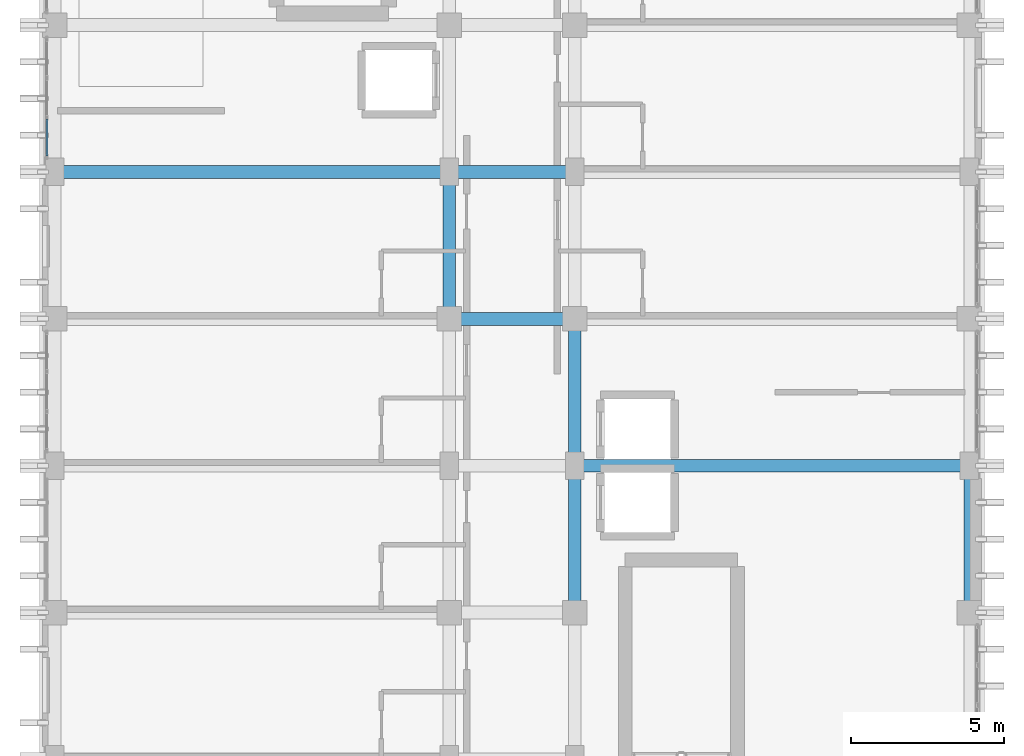
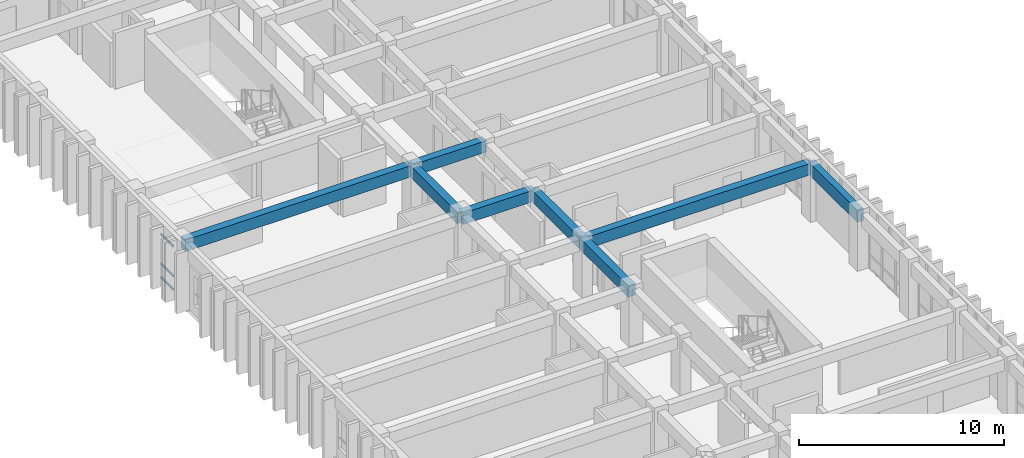
# One storey, part 24 of 82: 8 beams, 3 members, 1 element without a shape of its own.
"""IFC4 building model written with IfcOpenShell, lengths in metres."""

from ifc_helpers import new_model, si_unit, direction, frame, origin, origin_2d, place, context, subcontext, project, spatial, rectangle, hollow_rectangle, extrude, material, layer, layer_set, material_profile, profile_set, type_object, element, aggregate, save


model = new_model("IFC4")

# Units and contexts
model_context = context("Model", 3, precision=1e-05, world=origin(), true_north=direction((0.0, 1.0)))
body_context = subcontext(model_context, "Body", "Model", "MODEL_VIEW")
ifc_project = project(units=[si_unit("LENGTHUNIT", "METRE"), si_unit("AREAUNIT", "SQUARE_METRE"), si_unit("VOLUMEUNIT", "CUBIC_METRE"), si_unit("PLANEANGLEUNIT", "RADIAN"), si_unit("MASSUNIT", "GRAM", prefix="KILO")], contexts=[model_context])

# Site, building, storey
site_placement = place(None, origin())
site = spatial("IfcSite", under=ifc_project, at=site_placement, CompositionType="ELEMENT")
building_placement = place(site_placement, origin())
building = spatial("IfcBuilding", under=site, at=building_placement, Name="Nakhvara Creek Congress Hotel", CompositionType="ELEMENT")
storey_placement = place(building_placement, frame((0.0, 0.0, 21.0)))
storey = spatial("IfcBuildingStorey", under=building, at=storey_placement, Name="L04", CompositionType="ELEMENT", Elevation=21.0)

# Beams
ifc_material_1 = material(Name="Concrete C40/50", Category="concrete")
ifc_material_profile_1 = material_profile(ifc_material_1, rectangle(XDim=0.419921875, YDim=0.679931640625, at=origin_2d()), Name="RC-BM 420x680", Category="LoadBearing")
ifc_profile_set_1 = profile_set([ifc_material_profile_1], Name="Concrete C40/50")
beam_type_1 = type_object("IfcBeamType", Name="BM-RC-420X680", PredefinedType="BEAM", material=ifc_profile_set_1)
beam_1_placement = place(storey_placement, frame((162.35009765625, 67.199951171875, 3.0), z_axis=(1.0, 0.0, 0.0), x_axis=(0.0, 1.0, 0.0)))
element("IfcBeam", 1, at=beam_1_placement, inside=storey, type_object=beam_type_1, Name="Beam B11-L04-1955", PredefinedType="BEAM", context=body_context, shape_type="SweptSolid", body=[
    extrude(rectangle(XDim=0.419921875, YDim=0.679931640625, at=origin_2d()), origin(), (0.0, 0.0, 1.0), 4.099853515625),
])
beam_2_placement = place(storey_placement, frame((162.35009765625, 67.199951171875, 3.0), z_axis=(0.0, 1.0, 0.0), x_axis=(-1.0, 0.0, 0.0)))
element("IfcBeam", 2, at=beam_2_placement, inside=storey, type_object=beam_type_1, Name="Beam B11-L04-1957", PredefinedType="BEAM", context=body_context, shape_type="SweptSolid", body=[
    extrude(rectangle(XDim=0.419921875, YDim=0.679931640625, at=origin_2d()), origin(), (0.0, 0.0, 1.0), 4.800048828125),
])
beam_3_placement = place(storey_placement, frame((166.449951171875, 57.60009765625, 3.0), z_axis=(0.0, 1.0, 0.0), x_axis=(-1.0, 0.0, 0.0)))
element("IfcBeam", 3, at=beam_3_placement, inside=storey, type_object=beam_type_1, Name="Beam B11-L04-1986", PredefinedType="BEAM", context=body_context, shape_type="SweptSolid", body=[
    extrude(rectangle(XDim=0.419921875, YDim=0.679931640625, at=origin_2d()), origin(), (0.0, 0.0, 1.0), 4.7998046875),
])
beam_4_placement = place(storey_placement, frame((166.449951171875, 62.39990234375, 3.0), z_axis=(0.0, 1.0, 0.0), x_axis=(-1.0, 0.0, 0.0)))
element("IfcBeam", 4, at=beam_4_placement, inside=storey, type_object=beam_type_1, Name="Beam B11-L04-1988", PredefinedType="BEAM", context=body_context, shape_type="SweptSolid", body=[
    extrude(rectangle(XDim=0.419921875, YDim=0.679931640625, at=origin_2d()), origin(), (0.0, 0.0, 1.0), 4.800048828125),
])
beam_5_placement = place(storey_placement, frame((149.449951171875, 72.0, 3.0), z_axis=(1.0, 0.0, 0.0), x_axis=(0.0, 1.0, 0.0)))
element("IfcBeam", 5, at=beam_5_placement, inside=storey, type_object=beam_type_1, Name="Beam B11-L04-2034", PredefinedType="BEAM", context=body_context, shape_type="SweptSolid", body=[
    extrude(rectangle(XDim=0.419921875, YDim=0.679931640625, at=origin_2d()), origin(), (0.0, 0.0, 1.0), 12.900146484375),
])
beam_6_placement = place(storey_placement, frame((162.35009765625, 72.0, 3.0), z_axis=(1.0, 0.0, 0.0), x_axis=(0.0, 1.0, 0.0)))
element("IfcBeam", 6, at=beam_6_placement, inside=storey, type_object=beam_type_1, Name="Beam B11-L04-2043", PredefinedType="BEAM", context=body_context, shape_type="SweptSolid", body=[
    extrude(rectangle(XDim=0.419921875, YDim=0.679931640625, at=origin_2d()), origin(), (0.0, 0.0, 1.0), 4.099853515625),
])
beam_7_placement = place(storey_placement, frame((166.449951171875, 62.39990234375, 3.0), z_axis=(1.0, 0.0, 0.0), x_axis=(0.0, 1.0, 0.0)))
element("IfcBeam", 7, at=beam_7_placement, inside=storey, type_object=beam_type_1, Name="Beam B11-L04-2051", PredefinedType="BEAM", context=body_context, shape_type="SweptSolid", body=[
    extrude(rectangle(XDim=0.419921875, YDim=0.679931640625, at=origin_2d()), origin(), (0.0, 0.0, 1.0), 12.900146484375),
])
ifc_material_profile_2 = material_profile(ifc_material_1, rectangle(XDim=0.35009765625, YDim=0.75, at=origin_2d()), Name="RC-SPANDREL 350x750", Category="LoadBearing")
ifc_profile_set_2 = profile_set([ifc_material_profile_2], Name="Concrete C40/50")
beam_type_2 = type_object("IfcBeamType", Name="BM-SPN-350X750", PredefinedType="SPANDREL", material=ifc_profile_set_2)
beam_8_placement = place(storey_placement, frame((179.35009765625, 57.60009765625, 2.965087890625), z_axis=(0.0, 1.0, 0.0), x_axis=(-1.0, 0.0, 0.0)))
element("IfcBeam", 8, at=beam_8_placement, inside=storey, type_object=beam_type_2, Name="Beam SP1-L04-2015", PredefinedType="SPANDREL", context=body_context, shape_type="SweptSolid", body=[
    extrude(rectangle(XDim=0.35009765625, YDim=0.75, at=origin_2d()), origin(), (0.0, 0.0, 1.0), 4.7998046875),
])

# Curtain wall, members
ifc_material_2 = material(Name="Bronze-anodised aluminium AW-6063-T6 and double-silver low-E glass", Category="aluminium")
ifc_layer = layer(ifc_material_2, 0.199951171875)
ifc_layer_set = layer_set([ifc_layer], Name="Bronze-anodised aluminium AW-6063-T6 and double-silver low-E glass")
curtain_wall_type = type_object("IfcCurtainWallType", Name="CW-HTL-UNIT", PredefinedType="USERDEFINED", material=ifc_layer_set)
curtain_wall_placement = place(storey_placement, origin())
curtain_wall = element("IfcCurtainWall", 9, at=curtain_wall_placement, inside=storey, type_object=curtain_wall_type, Name="Curtain Wall CW187", ObjectType="UNITISED", PredefinedType="USERDEFINED")
ifc_material_3 = material(Name="Bronze-anodised aluminium AW-6063-T6", Category="aluminium")
ifc_material_profile_3 = material_profile(ifc_material_3, hollow_rectangle(XDim=0.06494140625, YDim=0.1201171875, WallThickness=0.00390625, at=origin_2d()), Name="ALU-TRAN 65x120x4", Category="LoadBearing")
ifc_profile_set_3 = profile_set([ifc_material_profile_3], Name="Bronze-anodised aluminium AW-6063-T6")
member_type = type_object("IfcMemberType", Name="CW-TRAN-120", PredefinedType="USERDEFINED", material=ifc_profile_set_3)
member_1_placement = place(storey_placement, frame((149.199951171875, 72.530029296875, 0.032470703125), z_axis=(0.0, 1.0, 0.0), x_axis=(-1.0, 0.0, 0.0)))
member_1 = element("IfcMember", 10, at=member_1_placement, type_object=member_type, Name="CW187 transom 1.1", ObjectType="TRANSOM", PredefinedType="USERDEFINED", context=body_context, shape_type="SweptSolid", body=[
    extrude(hollow_rectangle(XDim=0.06494140625, YDim=0.1201171875, WallThickness=0.00390625, at=origin_2d()), origin(), (0.0, 0.0, 1.0), 1.209228515625),
])
member_2_placement = place(storey_placement, frame((149.199951171875, 72.530029296875, 0.85009765625), z_axis=(0.0, 1.0, 0.0), x_axis=(-1.0, 0.0, 0.0)))
member_2 = element("IfcMember", 11, at=member_2_placement, type_object=member_type, Name="CW187 transom 1.2", ObjectType="TRANSOM", PredefinedType="USERDEFINED", context=body_context, shape_type="SweptSolid", body=[
    extrude(hollow_rectangle(XDim=0.06494140625, YDim=0.1201171875, WallThickness=0.00390625, at=origin_2d()), origin(), (0.0, 0.0, 1.0), 1.209228515625),
])
member_3_placement = place(storey_placement, frame((149.199951171875, 72.530029296875, 2.619384765625), z_axis=(0.0, 1.0, 0.0), x_axis=(-1.0, 0.0, 0.0)))
member_3 = element("IfcMember", 12, at=member_3_placement, type_object=member_type, Name="CW187 transom 1.3", ObjectType="TRANSOM", PredefinedType="USERDEFINED", context=body_context, shape_type="SweptSolid", body=[
    extrude(hollow_rectangle(XDim=0.06494140625, YDim=0.1201171875, WallThickness=0.00390625, at=origin_2d()), origin(), (0.0, 0.0, 1.0), 1.209228515625),
])
aggregate(curtain_wall, [member_1, member_2, member_3])

save(model, "model.ifc")
